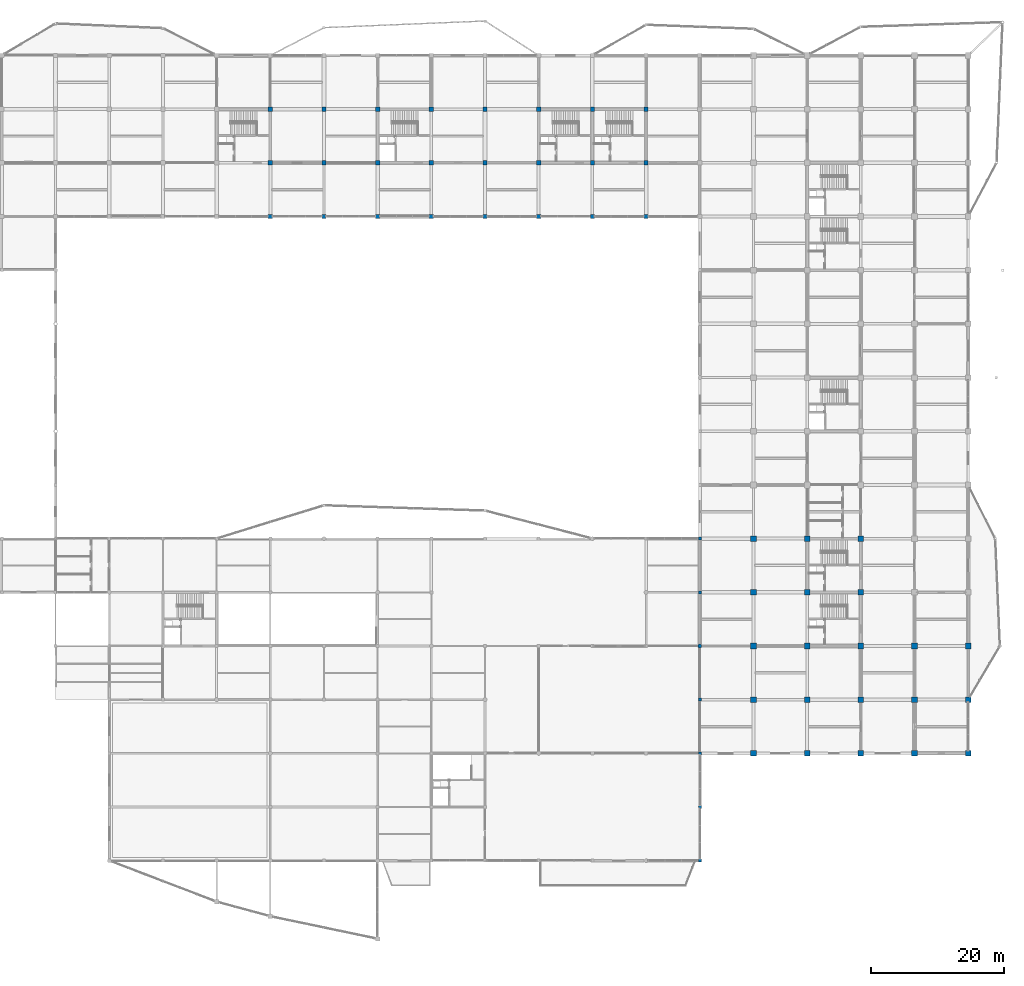
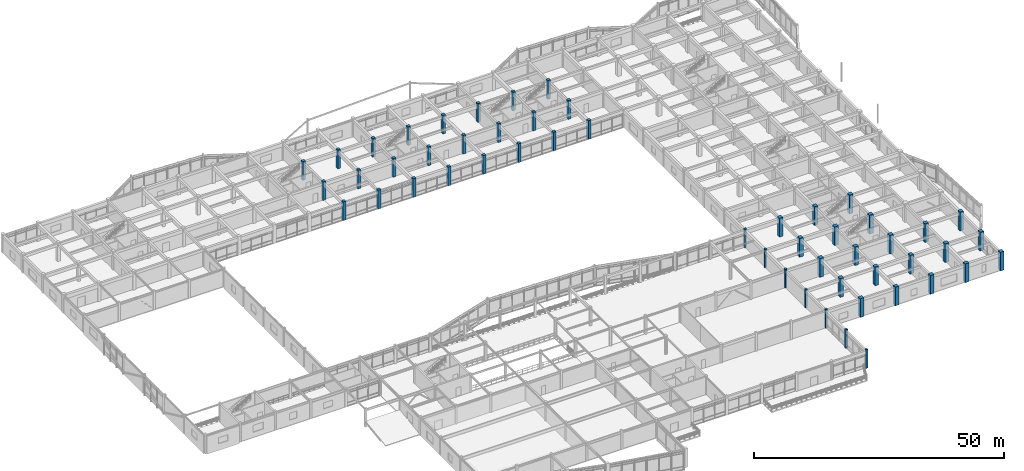
# One storey, part 8 of 93: 52 columns.
"""IFC4 building model written with IfcOpenShell, lengths in metres."""

from ifc_helpers import new_model, si_unit, direction, frame, origin, origin_2d, place, context, subcontext, project, spatial, rectangle, circle, extrude, material, material_profile, profile_set, type_object, element, save


model = new_model("IFC4")

# Units and contexts
model_context = context("Model", 3, precision=1e-05, world=origin(), true_north=direction((0.0, 1.0)))
body_context = subcontext(model_context, "Body", "Model", "MODEL_VIEW")
ifc_project = project(units=[si_unit("LENGTHUNIT", "METRE"), si_unit("AREAUNIT", "SQUARE_METRE"), si_unit("VOLUMEUNIT", "CUBIC_METRE"), si_unit("PLANEANGLEUNIT", "RADIAN"), si_unit("MASSUNIT", "GRAM", prefix="KILO")], contexts=[model_context])

# Site, building, storey
site_placement = place(None, origin())
site = spatial("IfcSite", under=ifc_project, at=site_placement, CompositionType="ELEMENT")
building_placement = place(site_placement, origin())
building = spatial("IfcBuilding", under=site, at=building_placement, Name="Vaudrelin Polytechnic", CompositionType="ELEMENT")
storey_placement = place(building_placement, frame((0.0, 0.0, 5.10009765625)))
storey = spatial("IfcBuildingStorey", under=building, at=storey_placement, Name="L01", CompositionType="ELEMENT", Elevation=5.10009765625)

# Columns
ifc_material_1 = material(Name="Concrete 40 MPa", Category="concrete")
ifc_material_profile_1 = material_profile(ifc_material_1, rectangle(XDim=0.449951171875, YDim=0.449951171875, at=origin_2d()), Name="RC450x450")
ifc_profile_set_1 = profile_set([ifc_material_profile_1], Name="Concrete 40 MPa")
column_type_1 = type_object("IfcColumnType", Name="COL-C-RC450", PredefinedType="COLUMN", material=ifc_profile_set_1)
for number, where, z_axis, x_axis, name in (
    (1, (129.60009765625, 0.0, 0.0), (0.0, 0.0, 1.0), (1.0, 0.0, 0.0), "Column L01 17-1"),
    (2, (129.60009765625, 8.10009765625, 0.0), (0.0, 0.0, 1.0), (1.0, 0.0, 0.0), "Column L01 17-2"),
    (3, (129.60009765625, 16.199951171875, 0.0), (0.0, 0.0, 1.0), (1.0, 0.0, 0.0), "Column L01 17-3"),
    (4, (129.60009765625, 24.300048828125, 0.0), (0.0, 0.0, 1.0), (1.0, 0.0, 0.0), "Column L01 17-4"),
    (5, (129.60009765625, 40.5, 0.0), (0.0, 0.0, 1.0), (1.0, 0.0, 0.0), "Column L01 17-6"),
    (6, (129.60009765625, 48.60009765625, 0.0), (0.0, 0.0, 1.0), (1.0, 0.0, 0.0), "Column L01 17-7"),
):
    element("IfcColumn", number, at=place(storey_placement, frame(where, z_axis=z_axis, x_axis=x_axis)), inside=storey, type_object=column_type_1, Name=name, PredefinedType="COLUMN", context=body_context, shape_type="SweptSolid", body=[
        extrude(rectangle(XDim=0.449951171875, YDim=0.449951171875, at=origin_2d()), origin(), (0.0, 0.0, 1.0), 4.58984375),
    ])
ifc_material_profile_2 = material_profile(ifc_material_1, rectangle(XDim=0.64990234375, YDim=0.64990234375, at=origin_2d()), Name="RC650x650")
ifc_profile_set_2 = profile_set([ifc_material_profile_2], Name="Concrete 40 MPa")
column_type_2 = type_object("IfcColumnType", Name="COL-C-RC650", PredefinedType="COLUMN", material=ifc_profile_set_2)
for number, where, z_axis, x_axis, name in (
    (7, (64.800048828125, 97.199951171875, 0.0), (0.0, 0.0, 1.0), (1.0, 0.0, 0.0), "Column L01 9-13"),
    (8, (64.800048828125, 105.300048828125, 0.0), (0.0, 0.0, 1.0), (1.0, 0.0, 0.0), "Column L01 9-14"),
    (9, (64.800048828125, 113.39990234375, 0.0), (0.0, 0.0, 1.0), (1.0, 0.0, 0.0), "Column L01 9-15"),
    (10, (72.89990234375, 97.199951171875, 0.0), (0.0, 0.0, 1.0), (1.0, 0.0, 0.0), "Column L01 10-13"),
    (11, (72.89990234375, 105.300048828125, 0.0), (0.0, 0.0, 1.0), (1.0, 0.0, 0.0), "Column L01 10-14"),
    (12, (72.89990234375, 113.39990234375, 0.0), (0.0, 0.0, 1.0), (1.0, 0.0, 0.0), "Column L01 10-15"),
    (13, (81.0, 97.199951171875, 0.0), (0.0, 0.0, 1.0), (1.0, 0.0, 0.0), "Column L01 11-13"),
    (14, (81.0, 105.300048828125, 0.0), (0.0, 0.0, 1.0), (1.0, 0.0, 0.0), "Column L01 11-14"),
    (15, (81.0, 113.39990234375, 0.0), (0.0, 0.0, 1.0), (1.0, 0.0, 0.0), "Column L01 11-15"),
    (16, (89.10009765625, 97.199951171875, 0.0), (0.0, 0.0, 1.0), (1.0, 0.0, 0.0), "Column L01 12-13"),
    (17, (89.10009765625, 105.300048828125, 0.0), (0.0, 0.0, 1.0), (1.0, 0.0, 0.0), "Column L01 12-14"),
    (18, (89.10009765625, 113.39990234375, 0.0), (0.0, 0.0, 1.0), (1.0, 0.0, 0.0), "Column L01 12-15"),
    (19, (97.199951171875, 97.199951171875, 0.0), (0.0, 0.0, 1.0), (1.0, 0.0, 0.0), "Column L01 13-13"),
    (20, (97.199951171875, 105.300048828125, 0.0), (0.0, 0.0, 1.0), (1.0, 0.0, 0.0), "Column L01 13-14"),
    (21, (97.199951171875, 113.39990234375, 0.0), (0.0, 0.0, 1.0), (1.0, 0.0, 0.0), "Column L01 13-15"),
    (22, (105.300048828125, 97.199951171875, 0.0), (0.0, 0.0, 1.0), (1.0, 0.0, 0.0), "Column L01 14-13"),
    (23, (105.300048828125, 105.300048828125, 0.0), (0.0, 0.0, 1.0), (1.0, 0.0, 0.0), "Column L01 14-14"),
    (24, (105.300048828125, 113.39990234375, 0.0), (0.0, 0.0, 1.0), (1.0, 0.0, 0.0), "Column L01 14-15"),
    (25, (113.39990234375, 97.199951171875, 0.0), (0.0, 0.0, 1.0), (1.0, 0.0, 0.0), "Column L01 15-13"),
    (26, (113.39990234375, 105.300048828125, 0.0), (0.0, 0.0, 1.0), (1.0, 0.0, 0.0), "Column L01 15-14"),
    (27, (113.39990234375, 113.39990234375, 0.0), (0.0, 0.0, 1.0), (1.0, 0.0, 0.0), "Column L01 15-15"),
    (28, (121.5, 97.199951171875, 0.0), (0.0, 0.0, 1.0), (1.0, 0.0, 0.0), "Column L01 16-13"),
    (29, (121.5, 105.300048828125, 0.0), (0.0, 0.0, 1.0), (1.0, 0.0, 0.0), "Column L01 16-14"),
    (30, (121.5, 113.39990234375, 0.0), (0.0, 0.0, 1.0), (1.0, 0.0, 0.0), "Column L01 16-15"),
):
    element("IfcColumn", number, at=place(storey_placement, frame(where, z_axis=z_axis, x_axis=x_axis)), inside=storey, type_object=column_type_2, Name=name, PredefinedType="COLUMN", context=body_context, shape_type="SweptSolid", body=[
        extrude(rectangle(XDim=0.64990234375, YDim=0.64990234375, at=origin_2d()), origin(), (0.0, 0.0, 1.0), 4.58984375),
    ])
ifc_material_2 = material(Name="Concrete 50 MPa", Category="concrete")
ifc_material_profile_3 = material_profile(ifc_material_2, rectangle(XDim=0.85009765625, YDim=0.85009765625, at=origin_2d()), Name="RC850x850")
ifc_profile_set_3 = profile_set([ifc_material_profile_3], Name="Concrete 50 MPa")
column_type_3 = type_object("IfcColumnType", Name="COL-C-RC850", PredefinedType="COLUMN", material=ifc_profile_set_3)
for number, where, z_axis, x_axis, name in (
    (31, (137.699951171875, 16.199951171875, 0.0), (0.0, 0.0, 1.0), (1.0, 0.0, 0.0), "Column L01 18-3"),
    (32, (137.699951171875, 24.300048828125, 0.0), (0.0, 0.0, 1.0), (1.0, 0.0, 0.0), "Column L01 18-4"),
    (33, (137.699951171875, 32.39990234375, 0.0), (0.0, 0.0, 1.0), (1.0, 0.0, 0.0), "Column L01 18-5"),
    (34, (137.699951171875, 40.5, 0.0), (0.0, 0.0, 1.0), (1.0, 0.0, 0.0), "Column L01 18-6"),
    (35, (137.699951171875, 48.60009765625, 0.0), (0.0, 0.0, 1.0), (1.0, 0.0, 0.0), "Column L01 18-7"),
    (36, (145.800048828125, 16.199951171875, 0.0), (0.0, 0.0, 1.0), (1.0, 0.0, 0.0), "Column L01 19-3"),
    (37, (145.800048828125, 24.300048828125, 0.0), (0.0, 0.0, 1.0), (1.0, 0.0, 0.0), "Column L01 19-4"),
    (38, (145.800048828125, 32.39990234375, 0.0), (0.0, 0.0, 1.0), (1.0, 0.0, 0.0), "Column L01 19-5"),
    (39, (145.800048828125, 40.5, 0.0), (0.0, 0.0, 1.0), (1.0, 0.0, 0.0), "Column L01 19-6"),
    (40, (145.800048828125, 48.60009765625, 0.0), (0.0, 0.0, 1.0), (1.0, 0.0, 0.0), "Column L01 19-7"),
    (41, (153.89990234375, 16.199951171875, 0.0), (0.0, 0.0, 1.0), (1.0, 0.0, 0.0), "Column L01 20-3"),
    (42, (153.89990234375, 24.300048828125, 0.0), (0.0, 0.0, 1.0), (1.0, 0.0, 0.0), "Column L01 20-4"),
    (43, (153.89990234375, 32.39990234375, 0.0), (0.0, 0.0, 1.0), (1.0, 0.0, 0.0), "Column L01 20-5"),
    (44, (153.89990234375, 40.5, 0.0), (0.0, 0.0, 1.0), (1.0, 0.0, 0.0), "Column L01 20-6"),
    (45, (153.89990234375, 48.60009765625, 0.0), (0.0, 0.0, 1.0), (1.0, 0.0, 0.0), "Column L01 20-7"),
    (46, (162.0, 16.199951171875, 0.0), (0.0, 0.0, 1.0), (1.0, 0.0, 0.0), "Column L01 21-3"),
    (47, (162.0, 24.300048828125, 0.0), (0.0, 0.0, 1.0), (1.0, 0.0, 0.0), "Column L01 21-4"),
    (48, (162.0, 32.39990234375, 0.0), (0.0, 0.0, 1.0), (1.0, 0.0, 0.0), "Column L01 21-5"),
    (49, (170.10009765625, 16.199951171875, 0.0), (0.0, 0.0, 1.0), (1.0, 0.0, 0.0), "Column L01 22-3"),
    (50, (170.10009765625, 24.300048828125, 0.0), (0.0, 0.0, 1.0), (1.0, 0.0, 0.0), "Column L01 22-4"),
    (51, (170.10009765625, 32.39990234375, 0.0), (0.0, 0.0, 1.0), (1.0, 0.0, 0.0), "Column L01 22-5"),
):
    element("IfcColumn", number, at=place(storey_placement, frame(where, z_axis=z_axis, x_axis=x_axis)), inside=storey, type_object=column_type_3, Name=name, PredefinedType="COLUMN", context=body_context, shape_type="SweptSolid", body=[
        extrude(rectangle(XDim=0.85009765625, YDim=0.85009765625, at=origin_2d()), origin(), (0.0, 0.0, 1.0), 4.58984375),
    ])
ifc_material_profile_4 = material_profile(ifc_material_1, circle(Radius=0.300048828125, at=origin_2d()), Name="RCCOL600")
ifc_profile_set_4 = profile_set([ifc_material_profile_4], Name="Concrete 40 MPa")
column_type_4 = type_object("IfcColumnType", Name="COL-C-RCD600", PredefinedType="COLUMN", material=ifc_profile_set_4)
column_placement = place(storey_placement, frame((129.60009765625, 32.39990234375, 0.0), z_axis=(0.0, 0.0, 1.0), x_axis=(1.0, 0.0, 0.0)))
element("IfcColumn", 52, at=column_placement, inside=storey, type_object=column_type_4, Name="Column L01 17-5", PredefinedType="COLUMN", context=body_context, shape_type="SweptSolid", body=[
    extrude(circle(Radius=0.300048828125, at=origin_2d()), origin(), (0.0, 0.0, 1.0), 4.58984375),
])

save(model, "model.ifc")
